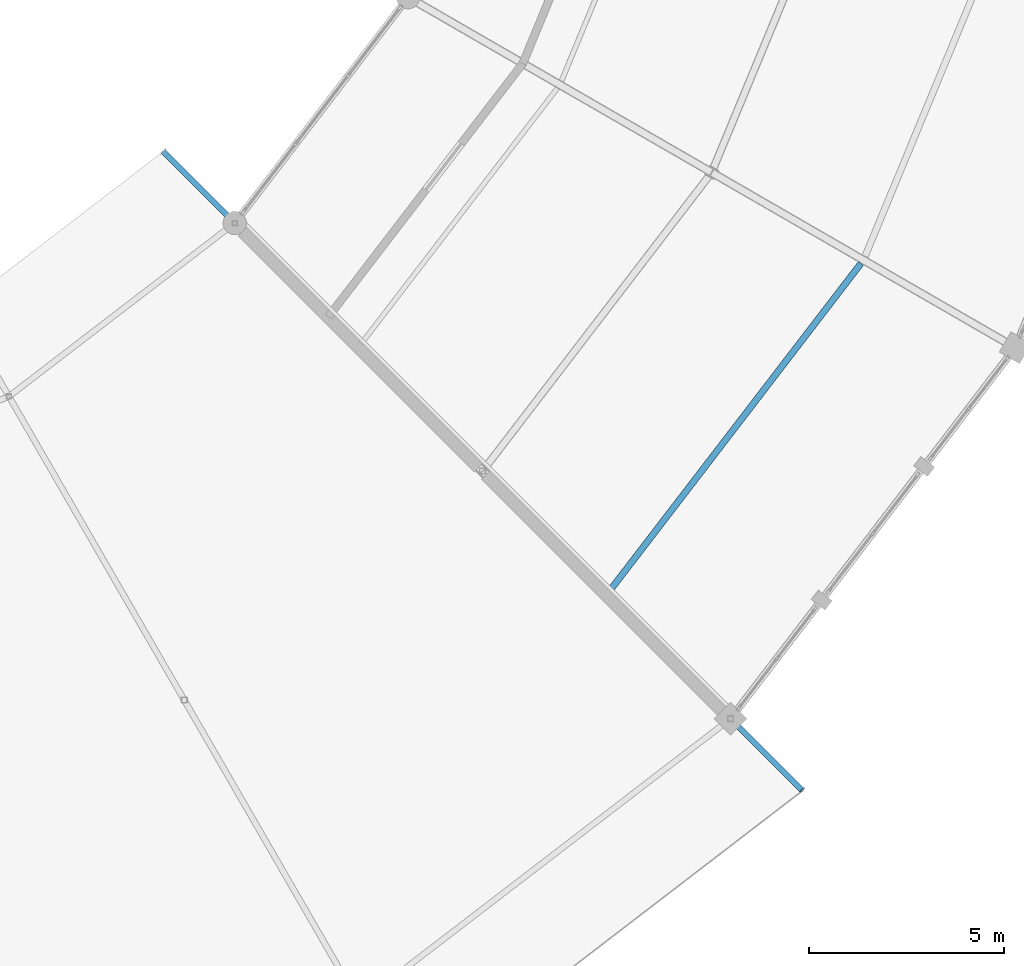
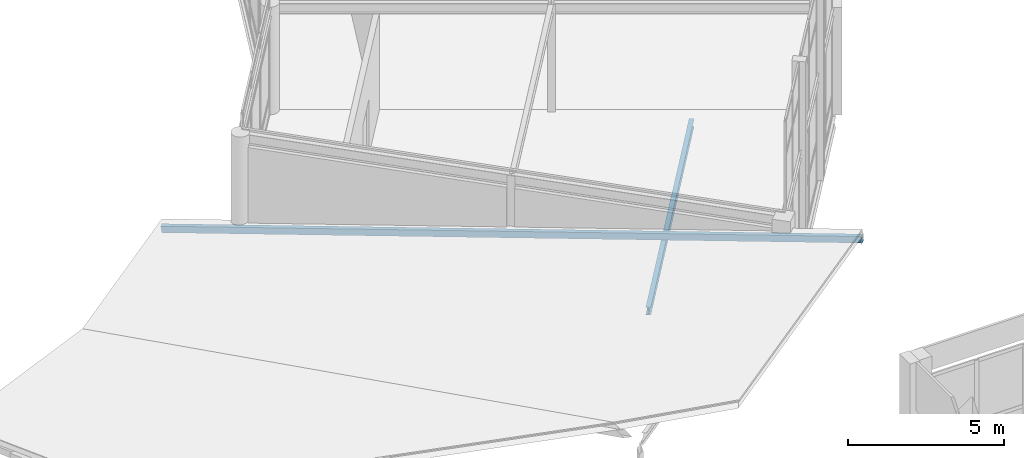
# One storey, part 106 of 185: 1 beam, 1 member.
"""IFC4 building model written with IfcOpenShell, lengths in metres."""

from ifc_helpers import new_model, si_unit, direction, frame, origin, origin_2d, place, context, subcontext, project, spatial, hollow_rectangle, i_section, extrude, material, material_profile, profile_set, type_object, element, save


model = new_model("IFC4")

# Units and contexts
model_context = context("Model", 3, precision=1e-05, world=origin(), true_north=direction((0.0, 1.0)))
body_context = subcontext(model_context, "Body", "Model", "MODEL_VIEW")
ifc_project = project(units=[si_unit("LENGTHUNIT", "METRE"), si_unit("AREAUNIT", "SQUARE_METRE"), si_unit("VOLUMEUNIT", "CUBIC_METRE"), si_unit("PLANEANGLEUNIT", "RADIAN"), si_unit("MASSUNIT", "GRAM", prefix="KILO")], contexts=[model_context])

# Site, building, storey
site_placement = place(None, origin())
site = spatial("IfcSite", under=ifc_project, at=site_placement, CompositionType="ELEMENT")
building_placement = place(site_placement, origin())
building = spatial("IfcBuilding", under=site, at=building_placement, Name="Vondelvale Polytechnic", CompositionType="ELEMENT")
storey_placement = place(building_placement, frame((0.0, 0.0, 9.60009765625)))
storey = spatial("IfcBuildingStorey", under=building, at=storey_placement, Name="L02", CompositionType="ELEMENT", Elevation=9.60009765625)

# Beam
ifc_material_1 = material(Name="Steel 300PLUS (fy = 300 MPa)", Category="steel")
ifc_material_profile_1 = material_profile(ifc_material_1, i_section(OverallWidth=0.1650390625, OverallDepth=0.303955078125, WebThickness=0.006103515625, FlangeThickness=0.01025390625, FilletRadius=0.011474609375, at=origin_2d()), Name="310UB40.4")
ifc_profile_set_1 = profile_set([ifc_material_profile_1], Name="Steel 300PLUS (fy = 300 MPa)")
beam_type = type_object("IfcBeamType", Name="JST-UB310", PredefinedType="JOIST", material=ifc_profile_set_1)
beam_placement = place(storey_placement, frame((131.411865234375, 42.742431640625, -0.43212890625), z_axis=(0.608770977523, 0.793346013368, 0.0), x_axis=(-0.793346013368, 0.608770977523, 0.0)))
element("IfcBeam", 1, at=beam_placement, inside=storey, type_object=beam_type, Name="L02 RJ J-05", PredefinedType="JOIST", context=body_context, shape_type="SweptSolid", body=[
    extrude(i_section(OverallWidth=0.1650390625, OverallDepth=0.303955078125, WebThickness=0.006103515625, FlangeThickness=0.01025390625, FilletRadius=0.011474609375, at=origin_2d()), origin(), (0.0, 0.0, 1.0), 10.613525390625),
])

# Member
ifc_material_2 = material(Name="Steel C350L0 (fy = 350 MPa)", Category="steel")
ifc_material_profile_2 = material_profile(ifc_material_2, hollow_rectangle(XDim=0.14990234375, YDim=0.25, WallThickness=0.006103515625, at=origin_2d()), Name="250x150x6.0RHS")
ifc_profile_set_2 = profile_set([ifc_material_profile_2], Name="Steel C350L0 (fy = 350 MPa)")
member_type = type_object("IfcMemberType", Name="RAFTER RHS250", PredefinedType="RAFTER", material=ifc_profile_set_2)
member_placement = place(storey_placement, frame((136.365478515625, 37.634521484375, 3.765625), z_axis=(-0.697808205371, 0.697808205371, -0.161639775528), x_axis=(-0.707106781187, -0.707106781187, 0.0)))
element("IfcMember", 2, at=member_placement, inside=storey, type_object=member_type, Name="Ring step inward-sloping rafter 20", PredefinedType="RAFTER", context=body_context, shape_type="SweptSolid", body=[
    extrude(hollow_rectangle(XDim=0.14990234375, YDim=0.25, WallThickness=0.006103515625, at=origin_2d()), origin(), (0.0, 0.0, 1.0), 23.50927734375),
])

save(model, "model.ifc")
